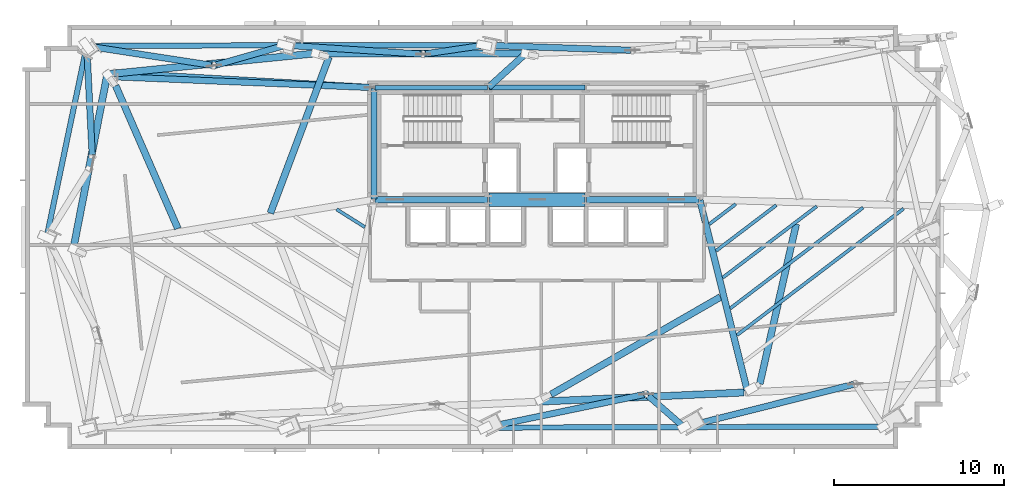
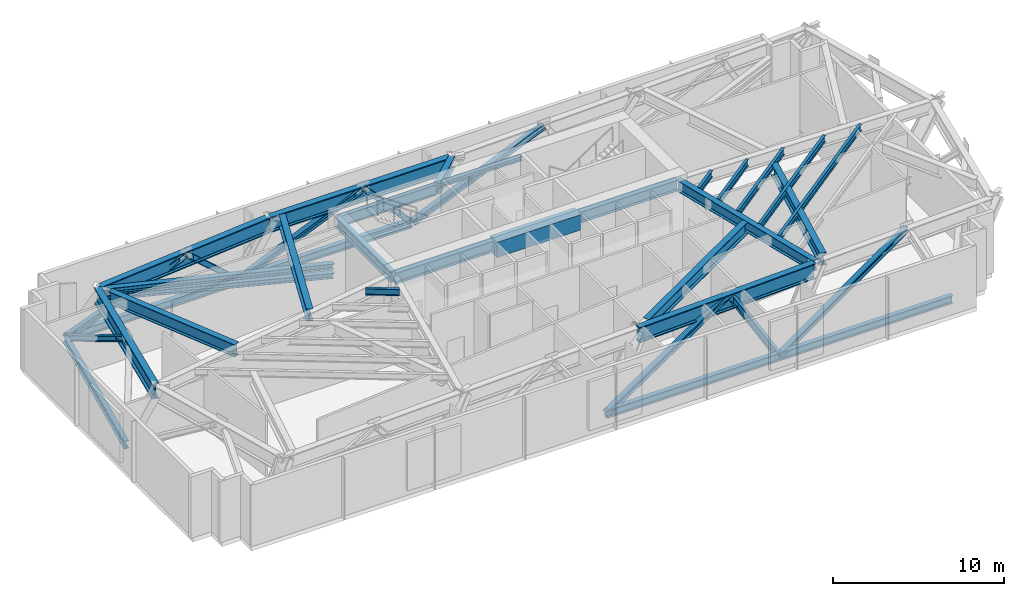
# One storey, part 2 of 11: 22 beams, 16 members.
"""IFC4 building model written with IfcOpenShell, lengths in metres."""

from ifc_helpers import new_model, si_unit, direction, frame, origin, origin_2d, place, context, subcontext, project, spatial, rectangle, i_section, extrude, source, transform, mapped, material, material_profile, profile_set, type_object, type_shapes, element, save


model = new_model("IFC4")

# Units and contexts
model_context = context("Model", 3, precision=1e-05, world=origin(), true_north=direction((0.0, 1.0)))
body_context = subcontext(model_context, "Body", "Model", "MODEL_VIEW")
ifc_project = project(units=[si_unit("LENGTHUNIT", "METRE"), si_unit("AREAUNIT", "SQUARE_METRE"), si_unit("VOLUMEUNIT", "CUBIC_METRE"), si_unit("PLANEANGLEUNIT", "RADIAN"), si_unit("MASSUNIT", "GRAM", prefix="KILO")], contexts=[model_context])

# Site, building, storey
site_placement = place(None, origin())
site = spatial("IfcSite", under=ifc_project, at=site_placement, CompositionType="ELEMENT")
building_placement = place(site_placement, origin())
building = spatial("IfcBuilding", under=site, at=building_placement, Name="Astriad Promenade Condominiums", CompositionType="ELEMENT")
storey_placement = place(building_placement, frame((0.0, 0.0, 67.800048828125)))
storey = spatial("IfcBuildingStorey", under=building, at=storey_placement, Name="L19", CompositionType="ELEMENT", Elevation=67.800048828125)

# Beams
ifc_material_1 = material(Name="Steel ASTM A992 Grade 50", Category="steel")
ifc_material_profile_1 = material_profile(ifc_material_1, i_section(OverallWidth=0.3837890625, OverallDepth=0.785888671875, WebThickness=0.019775390625, FlangeThickness=0.033447265625, FilletRadius=0.021484375, at=origin_2d()), Name="W30X211")
ifc_profile_set_1 = profile_set([ifc_material_profile_1], Name="Steel ASTM A992 Grade 50")
beam_type_1 = type_object("IfcBeamType", Name="STEEL FLOOR GIRDER W30X211", PredefinedType="BEAM", material=ifc_profile_set_1)
shared_shape_1 = source(origin(), body_context, "Body", "SweptSolid", [
    extrude(i_section(OverallWidth=0.3837890625, OverallDepth=0.785888671875, WebThickness=0.019775390625, FlangeThickness=0.033447265625, FilletRadius=0.021484375, at=origin_2d()), origin(), (0.0, 0.0, 1.0), 6.64013671875),
])
for number, where, z_axis, x_axis, name in (
    (1, (26.43994140625, 17.39990234375, 3.987060546875), (1.0, 0.0, 0.0), (0.0, 1.0, 0.0), "Core Ring Beam CG-S1-L19"),
    (2, (38.919921875, 17.39990234375, 3.987060546875), (1.0, 0.0, 0.0), (0.0, 1.0, 0.0), "Core Ring Beam CG-S3-L19"),
):
    element("IfcBeam", number, at=place(storey_placement, frame(where, z_axis=z_axis, x_axis=x_axis)), inside=storey, type_object=beam_type_1, Name=name, PredefinedType="BEAM", context=body_context, shape_type="MappedRepresentation", body=[
        mapped(shared_shape_1, transform((0.0, 0.0, 0.0), scale=1.0)),
    ])
ifc_material_2 = material(Name="Concrete C80/95", Category="concrete")
ifc_material_profile_2 = material_profile(ifc_material_2, rectangle(XDim=0.800048828125, YDim=1.10009765625, at=origin_2d()), Name="RC-BM-800X1100")
ifc_profile_set_2 = profile_set([ifc_material_profile_2], Name="Concrete C80/95")
beam_type_2 = type_object("IfcBeamType", Name="CONCRETE CORE COUPLING LINTEL 800X1100", PredefinedType="LINTEL", material=ifc_profile_set_2)
shared_shape_2 = source(origin(), body_context, "Body", "SweptSolid", [
    extrude(rectangle(XDim=0.800048828125, YDim=1.10009765625, at=origin_2d()), origin(), (0.0, 0.0, 1.0), 5.68017578125),
])
type_shapes(beam_type_2, [shared_shape_2])
beam_1_placement = place(storey_placement, frame((33.159912109375, 17.39990234375, 3.829833984375), z_axis=(1.0, 0.0, 0.0), x_axis=(0.0, 1.0, 0.0)))
element("IfcBeam", 3, at=beam_1_placement, inside=storey, type_object=beam_type_2, Name="Core Ring Beam CG-S2-L19", PredefinedType="LINTEL", context=body_context, shape_type="MappedRepresentation", body=[
    mapped(shared_shape_2, transform((0.0, 0.0, 0.0), scale=1.0)),
])
ifc_material_profile_3 = material_profile(ifc_material_1, i_section(OverallWidth=0.267822265625, OverallDepth=0.76953125, WebThickness=0.015625, FlangeThickness=0.025390625, FilletRadius=0.021484375, at=origin_2d()), Name="W30X132")
ifc_profile_set_3 = profile_set([ifc_material_profile_3], Name="Steel ASTM A992 Grade 50")
beam_type_3 = type_object("IfcBeamType", Name="STEEL FLOOR GIRDER W30X132", PredefinedType="BEAM", material=ifc_profile_set_3)
shared_shape_3 = source(origin(), body_context, "Body", "SweptSolid", [
    extrude(i_section(OverallWidth=0.267822265625, OverallDepth=0.76953125, WebThickness=0.015625, FlangeThickness=0.025390625, FilletRadius=0.021484375, at=origin_2d()), origin(), (0.0, 0.0, 1.0), 6.64013671875),
])
type_shapes(beam_type_3, [shared_shape_3])
beam_2_placement = place(storey_placement, frame((26.43994140625, 24.0, 3.9951171875), z_axis=(1.0, 0.0, 0.0), x_axis=(0.0, 1.0, 0.0)))
element("IfcBeam", 4, at=beam_2_placement, inside=storey, type_object=beam_type_3, Name="Core Ring Beam CG-N1-L19", PredefinedType="BEAM", context=body_context, shape_type="MappedRepresentation", body=[
    mapped(shared_shape_3, transform((0.0, 0.0, 0.0), scale=1.0)),
])
ifc_material_profile_4 = material_profile(ifc_material_1, i_section(OverallWidth=0.3046875, OverallDepth=0.307861328125, WebThickness=0.010009765625, FlangeThickness=0.015380859375, FilletRadius=0.01513671875, at=origin_2d()), Name="W12X65")
ifc_profile_set_4 = profile_set([ifc_material_profile_4], Name="Steel ASTM A992 Grade 50")
beam_type_4 = type_object("IfcBeamType", Name="STEEL OPENING LINTEL W12X65", PredefinedType="LINTEL", material=ifc_profile_set_4)
shared_shape_4 = source(origin(), body_context, "Body", "SweptSolid", [
    extrude(i_section(OverallWidth=0.3046875, OverallDepth=0.307861328125, WebThickness=0.010009765625, FlangeThickness=0.015380859375, FilletRadius=0.01513671875, at=origin_2d()), origin(), (0.0, 0.0, 1.0), 5.68017578125),
])
type_shapes(beam_type_4, [shared_shape_4])
beam_3_placement = place(storey_placement, frame((33.159912109375, 24.0, 4.22607421875), z_axis=(1.0, 0.0, 0.0), x_axis=(0.0, 1.0, 0.0)))
element("IfcBeam", 5, at=beam_3_placement, inside=storey, type_object=beam_type_4, Name="Core Ring Beam CG-N2-L19", PredefinedType="LINTEL", context=body_context, shape_type="MappedRepresentation", body=[
    mapped(shared_shape_4, transform((0.0, 0.0, 0.0), scale=1.0)),
])
ifc_material_profile_5 = material_profile(ifc_material_1, i_section(OverallWidth=0.35791015625, OverallDepth=0.706298828125, WebThickness=0.018310546875, FlangeThickness=0.0302734375, FilletRadius=0.020263671875, at=origin_2d()), Name="W27X178")
ifc_profile_set_5 = profile_set([ifc_material_profile_5], Name="Steel ASTM A992 Grade 50")
beam_type_5 = type_object("IfcBeamType", Name="STEEL FLOOR GIRDER W27X178", PredefinedType="BEAM", material=ifc_profile_set_5)
shared_shape_5 = source(origin(), body_context, "Body", "SweptSolid", [
    extrude(i_section(OverallWidth=0.35791015625, OverallDepth=0.706298828125, WebThickness=0.018310546875, FlangeThickness=0.0302734375, FilletRadius=0.020263671875, at=origin_2d()), origin(), (0.0, 0.0, 1.0), 6.52001953125),
])
type_shapes(beam_type_5, [shared_shape_5])
beam_4_placement = place(storey_placement, frame((26.39990234375, 17.43994140625, 4.02685546875), z_axis=(0.0, 1.0, 0.0), x_axis=(-1.0, 0.0, 0.0)))
element("IfcBeam", 6, at=beam_4_placement, inside=storey, type_object=beam_type_5, Name="Core Ring Beam CG-W1-L19", PredefinedType="BEAM", context=body_context, shape_type="MappedRepresentation", body=[
    mapped(shared_shape_5, transform((0.0, 0.0, 0.0), scale=1.0)),
])
ifc_material_profile_6 = material_profile(ifc_material_1, i_section(OverallWidth=0.4169921875, OverallDepth=1.093505859375, WebThickness=0.0390625, FlangeThickness=0.070068359375, FilletRadius=0.025390625, at=origin_2d()), Name="W40X503")
ifc_profile_set_6 = profile_set([ifc_material_profile_6], Name="Steel ASTM A992 Grade 50")
beam_type_6 = type_object("IfcBeamType", Name="STEEL TRANSFER GIRDER W40X503", PredefinedType="BEAM", material=ifc_profile_set_6)
shared_shape_6 = source(origin(), body_context, "Body", "SweptSolid", [
    extrude(i_section(OverallWidth=0.4169921875, OverallDepth=1.093505859375, WebThickness=0.0390625, FlangeThickness=0.070068359375, FilletRadius=0.025390625, at=origin_2d()), origin(), (0.0, 0.0, 1.0), 12.218505859375),
])
beam_5_placement = place(storey_placement, frame((36.010498046875, 5.474853515625, 3.833251953125), z_axis=(0.999001438478, 0.04467802501, 0.0), x_axis=(-0.04467802501, 0.999001438478, 0.0)))
element("IfcBeam", 7, at=beam_5_placement, inside=storey, type_object=beam_type_6, Name="Perimeter Spandrel Beam SP-S3-L19", PredefinedType="BEAM", context=body_context, shape_type="MappedRepresentation", body=[
    mapped(shared_shape_6, transform((0.0, 0.0, 0.0), scale=1.0)),
])
shared_shape_7 = source(origin(), body_context, "Body", "SweptSolid", [
    extrude(i_section(OverallWidth=0.4169921875, OverallDepth=1.093505859375, WebThickness=0.0390625, FlangeThickness=0.070068359375, FilletRadius=0.025390625, at=origin_2d()), origin(), (0.0, 0.0, 1.0), 10.42138671875),
])
beam_6_placement = place(storey_placement, frame((10.650634765625, 24.75146484375, 3.833251953125), z_axis=(-0.190977509581, -0.981594412593, 0.0), x_axis=(0.981594412593, -0.190977509581, 0.0)))
element("IfcBeam", 8, at=beam_6_placement, inside=storey, type_object=beam_type_6, Name="Perimeter Spandrel Beam SP-W2-L19", PredefinedType="BEAM", context=body_context, shape_type="MappedRepresentation", body=[
    mapped(shared_shape_7, transform((0.0, 0.0, 0.0), scale=1.0)),
])
shared_shape_8 = source(origin(), body_context, "Body", "SweptSolid", [
    extrude(i_section(OverallWidth=0.4169921875, OverallDepth=1.093505859375, WebThickness=0.0390625, FlangeThickness=0.070068359375, FilletRadius=0.025390625, at=origin_2d()), origin(), (0.0, 0.0, 1.0), 12.206298828125),
])
beam_7_placement = place(storey_placement, frame((35.190673828125, 26.02099609375, 3.833251953125), z_axis=(-0.9999999998, 2.00012e-05, 0.0), x_axis=(-2.00012e-05, -0.9999999998, 0.0)))
element("IfcBeam", 9, at=beam_7_placement, inside=storey, type_object=beam_type_6, Name="Perimeter Spandrel Beam SP-N2-L19", PredefinedType="BEAM", context=body_context, shape_type="MappedRepresentation", body=[
    mapped(shared_shape_8, transform((0.0, 0.0, 0.0), scale=1.0)),
])
shared_shape_9 = source(origin(), body_context, "Body", "SweptSolid", [
    extrude(i_section(OverallWidth=0.4169921875, OverallDepth=1.093505859375, WebThickness=0.0390625, FlangeThickness=0.070068359375, FilletRadius=0.025390625, at=origin_2d()), origin(), (0.0, 0.0, 1.0), 12.267578125),
])
type_shapes(beam_type_6, [shared_shape_6, shared_shape_7, shared_shape_8, shared_shape_9])
beam_8_placement = place(storey_placement, frame((22.904541015625, 26.01708984375, 3.833251953125), z_axis=(-0.995022993062, -0.099645588349, 0.0), x_axis=(0.099645588349, -0.995022993062, 0.0)))
element("IfcBeam", 10, at=beam_8_placement, inside=storey, type_object=beam_type_6, Name="Perimeter Spandrel Beam SP-N1-L19", PredefinedType="BEAM", context=body_context, shape_type="MappedRepresentation", body=[
    mapped(shared_shape_9, transform((0.0, 0.0, 0.0), scale=1.0)),
])
shared_shape_10 = source(origin(), body_context, "Body", "SweptSolid", [
    extrude(i_section(OverallWidth=0.3837890625, OverallDepth=0.785888671875, WebThickness=0.019775390625, FlangeThickness=0.033447265625, FilletRadius=0.021484375, at=origin_2d()), origin(), (0.0, 0.0, 1.0), 11.55517578125),
])
beam_9_placement = place(storey_placement, frame((48.397705078125, 6.147216796875, 3.987060546875), z_axis=(-0.24128265207, 0.970454883964, 0.0), x_axis=(-0.970454883964, -0.24128265207, 0.0)))
element("IfcBeam", 11, at=beam_9_placement, inside=storey, type_object=beam_type_1, Name="Primary Floor Girder PG-E2-L19", PredefinedType="BEAM", context=body_context, shape_type="MappedRepresentation", body=[
    mapped(shared_shape_10, transform((0.0, 0.0, 0.0), scale=1.0)),
])
shared_shape_11 = source(origin(), body_context, "Body", "SweptSolid", [
    extrude(i_section(OverallWidth=0.3837890625, OverallDepth=0.785888671875, WebThickness=0.019775390625, FlangeThickness=0.033447265625, FilletRadius=0.021484375, at=origin_2d()), origin(), (0.0, 0.0, 1.0), 2.89990234375),
])
type_shapes(beam_type_1, [shared_shape_1, shared_shape_10, shared_shape_11])
beam_10_placement = place(storey_placement, frame((35.298583984375, 25.97412109375, 3.987060546875), z_axis=(-0.74102098673, -0.671481866639, 0.0), x_axis=(0.671481866639, -0.74102098673, 0.0)))
element("IfcBeam", 12, at=beam_10_placement, inside=storey, type_object=beam_type_1, Name="Primary Floor Girder PG-NC-L19", PredefinedType="BEAM", context=body_context, shape_type="MappedRepresentation", body=[
    mapped(shared_shape_11, transform((0.0, 0.0, 0.0), scale=1.0)),
])
ifc_material_profile_7 = material_profile(ifc_material_1, i_section(OverallWidth=0.19287109375, OverallDepth=0.466064453125, WebThickness=0.011474609375, FlangeThickness=0.01904296875, FilletRadius=0.01513671875, at=origin_2d()), Name="W18X65")
ifc_profile_set_7 = profile_set([ifc_material_profile_7], Name="Steel ASTM A992 Grade 50")
beam_type_7 = type_object("IfcBeamType", Name="STEEL FLOOR JOIST W18X65", PredefinedType="JOIST", material=ifc_profile_set_7)
shared_shape_12 = source(origin(), body_context, "Body", "SweptSolid", [
    extrude(i_section(OverallWidth=0.19287109375, OverallDepth=0.466064453125, WebThickness=0.011474609375, FlangeThickness=0.01904296875, FilletRadius=0.01513671875, at=origin_2d()), origin(), (0.0, 0.0, 1.0), 1.969482421875),
])
beam_11_placement = place(storey_placement, frame((24.18603515625, 16.822509765625, 4.14697265625), z_axis=(0.846315636211, -0.532681747298, 0.0), x_axis=(0.532681747298, 0.846315636211, 0.0)))
element("IfcBeam", 13, at=beam_11_placement, inside=storey, type_object=beam_type_7, Name="Secondary Composite Floor Joist JW1-6-L19", PredefinedType="JOIST", context=body_context, shape_type="MappedRepresentation", body=[
    mapped(shared_shape_12, transform((0.0, 0.0, 0.0), scale=1.0)),
])
shared_shape_13 = source(origin(), body_context, "Body", "SweptSolid", [
    extrude(i_section(OverallWidth=0.19287109375, OverallDepth=0.466064453125, WebThickness=0.011474609375, FlangeThickness=0.01904296875, FilletRadius=0.01513671875, at=origin_2d()), origin(), (0.0, 0.0, 1.0), 12.334716796875),
])
beam_12_placement = place(storey_placement, frame((47.795654296875, 9.40234375, 4.14697265625), z_axis=(0.796514099606, 0.604619954293, 0.0), x_axis=(-0.604619954293, 0.796514099606, 0.0)))
element("IfcBeam", 14, at=beam_12_placement, inside=storey, type_object=beam_type_7, Name="Secondary Composite Floor Joist JE1-2-L19", PredefinedType="JOIST", context=body_context, shape_type="MappedRepresentation", body=[
    mapped(shared_shape_13, transform((0.0, 0.0, 0.0), scale=1.0)),
])
shared_shape_14 = source(origin(), body_context, "Body", "SweptSolid", [
    extrude(i_section(OverallWidth=0.19287109375, OverallDepth=0.466064453125, WebThickness=0.011474609375, FlangeThickness=0.01904296875, FilletRadius=0.01513671875, at=origin_2d()), origin(), (0.0, 0.0, 1.0), 9.829345703125),
])
beam_13_placement = place(storey_placement, frame((47.402587890625, 10.983154296875, 4.14697265625), z_axis=(0.796505238676, 0.604631627326, 0.0), x_axis=(-0.604631627326, 0.796505238676, 0.0)))
element("IfcBeam", 15, at=beam_13_placement, inside=storey, type_object=beam_type_7, Name="Secondary Composite Floor Joist JE1-3-L19", PredefinedType="JOIST", context=body_context, shape_type="MappedRepresentation", body=[
    mapped(shared_shape_14, transform((0.0, 0.0, 0.0), scale=1.0)),
])
shared_shape_15 = source(origin(), body_context, "Body", "SweptSolid", [
    extrude(i_section(OverallWidth=0.19287109375, OverallDepth=0.466064453125, WebThickness=0.011474609375, FlangeThickness=0.01904296875, FilletRadius=0.01513671875, at=origin_2d()), origin(), (0.0, 0.0, 1.0), 6.96630859375),
])
beam_14_placement = place(storey_placement, frame((46.953369140625, 12.789794921875, 4.14697265625), z_axis=(0.796521326719, 0.604610433322, 0.0), x_axis=(-0.604610433322, 0.796521326719, 0.0)))
element("IfcBeam", 16, at=beam_14_placement, inside=storey, type_object=beam_type_7, Name="Secondary Composite Floor Joist JE1-4-L19", PredefinedType="JOIST", context=body_context, shape_type="MappedRepresentation", body=[
    mapped(shared_shape_15, transform((0.0, 0.0, 0.0), scale=1.0)),
])
shared_shape_16 = source(origin(), body_context, "Body", "SweptSolid", [
    extrude(i_section(OverallWidth=0.19287109375, OverallDepth=0.466064453125, WebThickness=0.011474609375, FlangeThickness=0.01904296875, FilletRadius=0.01513671875, at=origin_2d()), origin(), (0.0, 0.0, 1.0), 4.46142578125),
])
beam_15_placement = place(storey_placement, frame((46.560302734375, 14.37060546875, 4.14697265625), z_axis=(0.796499512964, 0.604639169958, 0.0), x_axis=(-0.604639169958, 0.796499512964, 0.0)))
element("IfcBeam", 17, at=beam_15_placement, inside=storey, type_object=beam_type_7, Name="Secondary Composite Floor Joist JE1-5-L19", PredefinedType="JOIST", context=body_context, shape_type="MappedRepresentation", body=[
    mapped(shared_shape_16, transform((0.0, 0.0, 0.0), scale=1.0)),
])
shared_shape_17 = source(origin(), body_context, "Body", "SweptSolid", [
    extrude(i_section(OverallWidth=0.19287109375, OverallDepth=0.466064453125, WebThickness=0.011474609375, FlangeThickness=0.01904296875, FilletRadius=0.01513671875, at=origin_2d()), origin(), (0.0, 0.0, 1.0), 1.9560546875),
])
type_shapes(beam_type_7, [shared_shape_12, shared_shape_13, shared_shape_14, shared_shape_15, shared_shape_16, shared_shape_17])
beam_16_placement = place(storey_placement, frame((46.167236328125, 15.951416015625, 4.14697265625), z_axis=(0.796542038937, 0.604583145818, 0.0), x_axis=(-0.604583145818, 0.796542038937, 0.0)))
element("IfcBeam", 18, at=beam_16_placement, inside=storey, type_object=beam_type_7, Name="Secondary Composite Floor Joist JE1-6-L19", PredefinedType="JOIST", context=body_context, shape_type="MappedRepresentation", body=[
    mapped(shared_shape_17, transform((0.0, 0.0, 0.0), scale=1.0)),
])
ifc_material_profile_8 = material_profile(ifc_material_1, i_section(OverallWidth=0.4013671875, OverallDepth=0.877197265625, WebThickness=0.022216796875, FlangeThickness=0.039794921875, FilletRadius=0.02294921875, at=origin_2d()), Name="W33X263")
ifc_profile_set_8 = profile_set([ifc_material_profile_8], Name="Steel ASTM A992 Grade 50")
beam_type_8 = type_object("IfcBeamType", Name="STEEL TRANSFER CARRIER GIRDER W33X263", PredefinedType="BEAM", material=ifc_profile_set_8)
shared_shape_18 = source(origin(), body_context, "Body", "SweptSolid", [
    extrude(i_section(OverallWidth=0.4013671875, OverallDepth=0.877197265625, WebThickness=0.022216796875, FlangeThickness=0.039794921875, FilletRadius=0.02294921875, at=origin_2d()), origin(), (0.0, 0.0, 1.0), 11.52880859375),
])
beam_17_placement = place(storey_placement, frame((46.822021484375, 11.64990234375, 3.94140625), z_axis=(-0.866927807097, -0.498433724062, 0.0), x_axis=(0.498433724062, -0.866927807097, 0.0)))
element("IfcBeam", 19, at=beam_17_placement, inside=storey, type_object=beam_type_8, Name="Transfer Splice Carrier TRM-SP-PC03-L19", PredefinedType="BEAM", context=body_context, shape_type="MappedRepresentation", body=[
    mapped(shared_shape_18, transform((0.0, 0.0, 0.0), scale=1.0)),
])
shared_shape_19 = source(origin(), body_context, "Body", "SweptSolid", [
    extrude(i_section(OverallWidth=0.4013671875, OverallDepth=0.877197265625, WebThickness=0.022216796875, FlangeThickness=0.039794921875, FilletRadius=0.02294921875, at=origin_2d()), origin(), (0.0, 0.0, 1.0), 9.6669921875),
])
beam_18_placement = place(storey_placement, frame((51.291015625, 15.953369140625, 3.94140625), z_axis=(-0.222219244532, -0.974996721717, 0.0), x_axis=(0.974996721717, -0.222219244532, 0.0)))
element("IfcBeam", 20, at=beam_18_placement, inside=storey, type_object=beam_type_8, Name="Transfer Splice Carrier TRM-SP-PC04-L19", PredefinedType="BEAM", context=body_context, shape_type="MappedRepresentation", body=[
    mapped(shared_shape_19, transform((0.0, 0.0, 0.0), scale=1.0)),
])
shared_shape_20 = source(origin(), body_context, "Body", "SweptSolid", [
    extrude(i_section(OverallWidth=0.4013671875, OverallDepth=0.877197265625, WebThickness=0.022216796875, FlangeThickness=0.039794921875, FilletRadius=0.02294921875, at=origin_2d()), origin(), (0.0, 0.0, 1.0), 9.18359375),
])
beam_19_placement = place(storey_placement, frame((14.819580078125, 15.69140625, 3.94140625), z_axis=(-0.399267488127, 0.916834485021, 0.0), x_axis=(-0.916834485021, -0.399267488127, 0.0)))
element("IfcBeam", 21, at=beam_19_placement, inside=storey, type_object=beam_type_8, Name="Transfer Splice Carrier TRM-SP-PC06-L19", PredefinedType="BEAM", context=body_context, shape_type="MappedRepresentation", body=[
    mapped(shared_shape_20, transform((0.0, 0.0, 0.0), scale=1.0)),
])
shared_shape_21 = source(origin(), body_context, "Body", "SweptSolid", [
    extrude(i_section(OverallWidth=0.4013671875, OverallDepth=0.877197265625, WebThickness=0.022216796875, FlangeThickness=0.039794921875, FilletRadius=0.02294921875, at=origin_2d()), origin(), (0.0, 0.0, 1.0), 9.83447265625),
])
type_shapes(beam_type_8, [shared_shape_18, shared_shape_19, shared_shape_20, shared_shape_21])
beam_20_placement = place(storey_placement, frame((20.277587890625, 16.59619140625, 3.94140625), z_axis=(0.351449888194, 0.936206695174, 0.0), x_axis=(-0.936206695174, 0.351449888194, 0.0)))
element("IfcBeam", 22, at=beam_20_placement, inside=storey, type_object=beam_type_8, Name="Transfer Splice Carrier TRM-SP-PC07-L19", PredefinedType="BEAM", context=body_context, shape_type="MappedRepresentation", body=[
    mapped(shared_shape_21, transform((0.0, 0.0, 0.0), scale=1.0)),
])

# Members
ifc_material_profile_9 = material_profile(ifc_material_1, i_section(OverallWidth=0.31787109375, OverallDepth=0.560302734375, WebThickness=0.018310546875, FlangeThickness=0.029296875, FilletRadius=0.0166015625, at=origin_2d()), Name="W21X147")
ifc_profile_set_9 = profile_set([ifc_material_profile_9], Name="Steel ASTM A992 Grade 50")
member_type_1 = type_object("IfcMemberType", Name="STEEL BELT TRUSS CHORD W21X147", PredefinedType="CHORD", material=ifc_profile_set_9)
shared_shape_22 = source(origin(), body_context, "Body", "SweptSolid", [
    extrude(i_section(OverallWidth=0.31787109375, OverallDepth=0.560302734375, WebThickness=0.018310546875, FlangeThickness=0.029296875, FilletRadius=0.0166015625, at=origin_2d()), origin(), (0.0, 0.0, 1.0), 11.689453125),
])
member_1_placement = place(storey_placement, frame((32.957763671875, 3.94677734375, 0.139892578125), z_axis=(0.999996426619, 0.002673340489, 0.0), x_axis=(-0.002673340489, 0.999996426619, 0.0)))
element("IfcMember", 23, at=member_1_placement, inside=storey, type_object=member_type_1, Name="Belt Truss Chord L19-03", PredefinedType="CHORD", context=body_context, shape_type="MappedRepresentation", body=[
    mapped(shared_shape_22, transform((0.0, 0.0, 0.0), scale=1.0)),
])
ifc_material_profile_10 = material_profile(ifc_material_1, i_section(OverallWidth=0.37255859375, OverallDepth=0.367919921875, WebThickness=0.014892578125, FlangeThickness=0.02392578125, FilletRadius=0.017822265625, at=origin_2d()), Name="W14X120")
ifc_profile_set_10 = profile_set([ifc_material_profile_10], Name="Steel ASTM A992 Grade 50")
member_type_2 = type_object("IfcMemberType", Name="STEEL OUTRIGGER DIAGONAL W14X120", PredefinedType="BRACE", material=ifc_profile_set_10)
shared_shape_23 = source(origin(), body_context, "Body", "SweptSolid", [
    extrude(i_section(OverallWidth=0.37255859375, OverallDepth=0.367919921875, WebThickness=0.014892578125, FlangeThickness=0.02392578125, FilletRadius=0.017822265625, at=origin_2d()), origin(), (0.0, 0.0, 1.0), 10.480224609375),
])
member_2_placement = place(storey_placement, frame((32.955322265625, 3.951416015625, 0.149658203125), z_axis=(0.903326968578, 0.187994136638, 0.385562695849), x_axis=(-0.203747564299, 0.97902345735, 0.0)))
element("IfcMember", 24, at=member_2_placement, inside=storey, type_object=member_type_2, Name="Belt Truss Diagonal L19-03A", PredefinedType="BRACE", context=body_context, shape_type="MappedRepresentation", body=[
    mapped(shared_shape_23, transform((0.0, 0.0, 0.0), scale=1.0)),
])
shared_shape_24 = source(origin(), body_context, "Body", "SweptSolid", [
    extrude(i_section(OverallWidth=0.37255859375, OverallDepth=0.367919921875, WebThickness=0.014892578125, FlangeThickness=0.02392578125, FilletRadius=0.017822265625, at=origin_2d()), origin(), (0.0, 0.0, 1.0), 4.973876953125),
])
member_3_placement = place(storey_placement, frame((44.660888671875, 3.98779296875, 0.16015625), z_axis=(-0.443288688251, 0.387822381339, 0.808139183187), x_axis=(-0.658451506075, -0.752623155469, 0.0)))
element("IfcMember", 25, at=member_3_placement, inside=storey, type_object=member_type_2, Name="Belt Truss Diagonal L19-03B", PredefinedType="BRACE", context=body_context, shape_type="MappedRepresentation", body=[
    mapped(shared_shape_24, transform((0.0, 0.0, 0.0), scale=1.0)),
])
shared_shape_25 = source(origin(), body_context, "Body", "SweptSolid", [
    extrude(i_section(OverallWidth=0.31787109375, OverallDepth=0.560302734375, WebThickness=0.018310546875, FlangeThickness=0.029296875, FilletRadius=0.0166015625, at=origin_2d()), origin(), (0.0, 0.0, 1.0), 11.689697265625),
])
member_4_placement = place(storey_placement, frame((44.697021484375, 3.978271484375, 0.139892578125), z_axis=(0.999996025262, 0.002819478779, 0.0), x_axis=(-0.002819478779, 0.999996025262, 0.0)))
element("IfcMember", 26, at=member_4_placement, inside=storey, type_object=member_type_1, Name="Belt Truss Chord L19-04", PredefinedType="CHORD", context=body_context, shape_type="MappedRepresentation", body=[
    mapped(shared_shape_25, transform((0.0, 0.0, 0.0), scale=1.0)),
])
shared_shape_26 = source(origin(), body_context, "Body", "SweptSolid", [
    extrude(i_section(OverallWidth=0.37255859375, OverallDepth=0.367919921875, WebThickness=0.014892578125, FlangeThickness=0.02392578125, FilletRadius=0.017822265625, at=origin_2d()), origin(), (0.0, 0.0, 1.0), 11.139892578125),
])
member_5_placement = place(storey_placement, frame((44.694580078125, 3.98388671875, 0.149169921875), z_axis=(0.903616302487, 0.227684746102, 0.362818459112), x_axis=(-0.2443336817, 0.969691214762, 0.0)))
element("IfcMember", 27, at=member_5_placement, inside=storey, type_object=member_type_2, Name="Belt Truss Diagonal L19-04A", PredefinedType="BRACE", context=body_context, shape_type="MappedRepresentation", body=[
    mapped(shared_shape_26, transform((0.0, 0.0, 0.0), scale=1.0)),
])
shared_shape_27 = source(origin(), body_context, "Body", "SweptSolid", [
    extrude(i_section(OverallWidth=0.31787109375, OverallDepth=0.560302734375, WebThickness=0.018310546875, FlangeThickness=0.029296875, FilletRadius=0.0166015625, at=origin_2d()), origin(), (0.0, 0.0, 1.0), 11.67138671875),
])
for number, where, z_axis, x_axis, name in (
    (28, (9.470947265625, 26.456787109375, 0.139892578125), (0.999992593108, 0.003848860752, 0.0), (-0.003848860752, 0.999992593108, 0.0), "Belt Truss Chord L19-05"),
    (29, (21.1923828125, 26.501708984375, 0.139892578125), (1.0, 0.0, 0.0), (0.0, 1.0, 0.0), "Belt Truss Chord L19-06"),
):
    element("IfcMember", number, at=place(storey_placement, frame(where, z_axis=z_axis, x_axis=x_axis)), inside=storey, type_object=member_type_1, Name=name, PredefinedType="CHORD", context=body_context, shape_type="MappedRepresentation", body=[
        mapped(shared_shape_27, transform((0.0, 0.0, 0.0), scale=1.0)),
    ])
shared_shape_28 = source(origin(), body_context, "Body", "SweptSolid", [
    extrude(i_section(OverallWidth=0.37255859375, OverallDepth=0.367919921875, WebThickness=0.014892578125, FlangeThickness=0.02392578125, FilletRadius=0.017822265625, at=origin_2d()), origin(), (0.0, 0.0, 1.0), 8.559814453125),
])
member_6_placement = place(storey_placement, frame((9.4677734375, 26.453369140625, 0.15185546875), z_axis=(0.871534990863, -0.134422371697, 0.471547861503), x_axis=(0.152433888315, 0.988313669689, 0.0)))
element("IfcMember", 30, at=member_6_placement, inside=storey, type_object=member_type_2, Name="Belt Truss Diagonal L19-05A", PredefinedType="BRACE", context=body_context, shape_type="MappedRepresentation", body=[
    mapped(shared_shape_28, transform((0.0, 0.0, 0.0), scale=1.0)),
])
shared_shape_29 = source(origin(), body_context, "Body", "SweptSolid", [
    extrude(i_section(OverallWidth=0.37255859375, OverallDepth=0.367919921875, WebThickness=0.014892578125, FlangeThickness=0.02392578125, FilletRadius=0.017822265625, at=origin_2d()), origin(), (0.0, 0.0, 1.0), 5.926513671875),
])
member_7_placement = place(storey_placement, frame((21.14990234375, 26.49658203125, 0.156982421875), z_axis=(-0.705750492636, -0.201154544451, 0.679303386853), x_axis=(0.274105708299, -0.961699568825, 0.0)))
element("IfcMember", 31, at=member_7_placement, inside=storey, type_object=member_type_2, Name="Belt Truss Diagonal L19-05B", PredefinedType="BRACE", context=body_context, shape_type="MappedRepresentation", body=[
    mapped(shared_shape_29, transform((0.0, 0.0, 0.0), scale=1.0)),
])
shared_shape_30 = source(origin(), body_context, "Body", "SweptSolid", [
    extrude(i_section(OverallWidth=0.37255859375, OverallDepth=0.367919921875, WebThickness=0.014892578125, FlangeThickness=0.02392578125, FilletRadius=0.017822265625, at=origin_2d()), origin(), (0.0, 0.0, 1.0), 9.048095703125),
])
member_8_placement = place(storey_placement, frame((21.189697265625, 26.500244140625, 0.151123046875), z_axis=(0.893025909035, -0.058067191088, 0.446243125563), x_axis=(0.064885939766, 0.997892687026, 0.0)))
element("IfcMember", 32, at=member_8_placement, inside=storey, type_object=member_type_2, Name="Belt Truss Diagonal L19-06A", PredefinedType="BRACE", context=body_context, shape_type="MappedRepresentation", body=[
    mapped(shared_shape_30, transform((0.0, 0.0, 0.0), scale=1.0)),
])
shared_shape_31 = source(origin(), body_context, "Body", "SweptSolid", [
    extrude(i_section(OverallWidth=0.37255859375, OverallDepth=0.367919921875, WebThickness=0.014892578125, FlangeThickness=0.02392578125, FilletRadius=0.017822265625, at=origin_2d()), origin(), (0.0, 0.0, 1.0), 5.39990234375),
])
member_9_placement = place(storey_placement, frame((32.872314453125, 26.49951171875, 0.158447265625), z_axis=(-0.659965613689, -0.09698062899, 0.745010165265), x_axis=(0.14538666758, -0.9893749122, 0.0)))
element("IfcMember", 33, at=member_9_placement, inside=storey, type_object=member_type_2, Name="Belt Truss Diagonal L19-06B", PredefinedType="BRACE", context=body_context, shape_type="MappedRepresentation", body=[
    mapped(shared_shape_31, transform((0.0, 0.0, 0.0), scale=1.0)),
])
shared_shape_32 = source(origin(), body_context, "Body", "SweptSolid", [
    extrude(i_section(OverallWidth=0.37255859375, OverallDepth=0.367919921875, WebThickness=0.014892578125, FlangeThickness=0.02392578125, FilletRadius=0.017822265625, at=origin_2d()), origin(), (0.0, 0.0, 1.0), 9.5966796875),
])
member_10_placement = place(storey_placement, frame((32.91162109375, 26.5009765625, 0.150390625), z_axis=(0.906584497625, -0.031036959454, 0.420881522301), x_axis=(0.034214998444, 0.999414495533, 0.0)))
element("IfcMember", 34, at=member_10_placement, inside=storey, type_object=member_type_2, Name="Belt Truss Diagonal L19-07A", PredefinedType="BRACE", context=body_context, shape_type="MappedRepresentation", body=[
    mapped(shared_shape_32, transform((0.0, 0.0, 0.0), scale=1.0)),
])
shared_shape_33 = source(origin(), body_context, "Body", "SweptSolid", [
    extrude(i_section(OverallWidth=0.31787109375, OverallDepth=0.560302734375, WebThickness=0.018310546875, FlangeThickness=0.029296875, FilletRadius=0.0166015625, at=origin_2d()), origin(), (0.0, 0.0, 1.0), 11.478515625),
])
type_shapes(member_type_1, [shared_shape_22, shared_shape_25, shared_shape_27, shared_shape_33])
member_11_placement = place(storey_placement, frame((7.084716796875, 15.1982421875, 0.139892578125), z_axis=(0.205269721128, 0.978705441687, 0.0), x_axis=(-0.978705441687, 0.205269721128, 0.0)))
element("IfcMember", 35, at=member_11_placement, inside=storey, type_object=member_type_1, Name="Belt Truss Chord L19-10", PredefinedType="CHORD", context=body_context, shape_type="MappedRepresentation", body=[
    mapped(shared_shape_33, transform((0.0, 0.0, 0.0), scale=1.0)),
])
shared_shape_34 = source(origin(), body_context, "Body", "SweptSolid", [
    extrude(i_section(OverallWidth=0.37255859375, OverallDepth=0.367919921875, WebThickness=0.014892578125, FlangeThickness=0.02392578125, FilletRadius=0.017822265625, at=origin_2d()), origin(), (0.0, 0.0, 1.0), 7.5205078125),
])
member_12_placement = place(storey_placement, frame((9.447021484375, 26.435302734375, 0.152587890625), z_axis=(0.043240646411, -0.862248355342, 0.504636522864), x_axis=(0.998744920027, 0.050085773633, 0.0)))
element("IfcMember", 36, at=member_12_placement, inside=storey, type_object=member_type_2, Name="Belt Truss Diagonal L19-10B", PredefinedType="BRACE", context=body_context, shape_type="MappedRepresentation", body=[
    mapped(shared_shape_34, transform((0.0, 0.0, 0.0), scale=1.0)),
])
shared_shape_35 = source(origin(), body_context, "Body", "SweptSolid", [
    extrude(i_section(OverallWidth=0.37255859375, OverallDepth=0.367919921875, WebThickness=0.014892578125, FlangeThickness=0.02392578125, FilletRadius=0.017822265625, at=origin_2d()), origin(), (0.0, 0.0, 1.0), 15.39892578125),
])
member_13_placement = place(storey_placement, frame((26.12646484375, 24.015625, 0.297607421875), z_axis=(-0.976916365748, 0.055870902543, 0.206186460718), x_axis=(-0.057097778491, -0.998368591098, 0.0)))
element("IfcMember", 37, at=member_13_placement, inside=storey, type_object=member_type_2, Name="Outrigger Truss Diagonal L19-01A", PredefinedType="BRACE", context=body_context, shape_type="MappedRepresentation", body=[
    mapped(shared_shape_35, transform((0.0, 0.0, 0.0), scale=1.0)),
])
shared_shape_36 = source(origin(), body_context, "Body", "SweptSolid", [
    extrude(i_section(OverallWidth=0.37255859375, OverallDepth=0.367919921875, WebThickness=0.014892578125, FlangeThickness=0.02392578125, FilletRadius=0.017822265625, at=origin_2d()), origin(), (0.0, 0.0, 1.0), 15.182373046875),
])
type_shapes(member_type_2, [shared_shape_23, shared_shape_24, shared_shape_26, shared_shape_28, shared_shape_29, shared_shape_30, shared_shape_31, shared_shape_32, shared_shape_34, shared_shape_35, shared_shape_36])
member_14_placement = place(storey_placement, frame((26.1259765625, 24.011474609375, 0.976318359375), z_axis=(-0.978643511141, 0.040812324081, 0.201472658951), x_axis=(-0.0416667364, -0.999131564449, 0.0)))
element("IfcMember", 38, at=member_14_placement, inside=storey, type_object=member_type_2, Name="Outrigger Truss Diagonal L19-01B", PredefinedType="BRACE", context=body_context, shape_type="MappedRepresentation", body=[
    mapped(shared_shape_36, transform((0.0, 0.0, 0.0), scale=1.0)),
])

save(model, "model.ifc")
